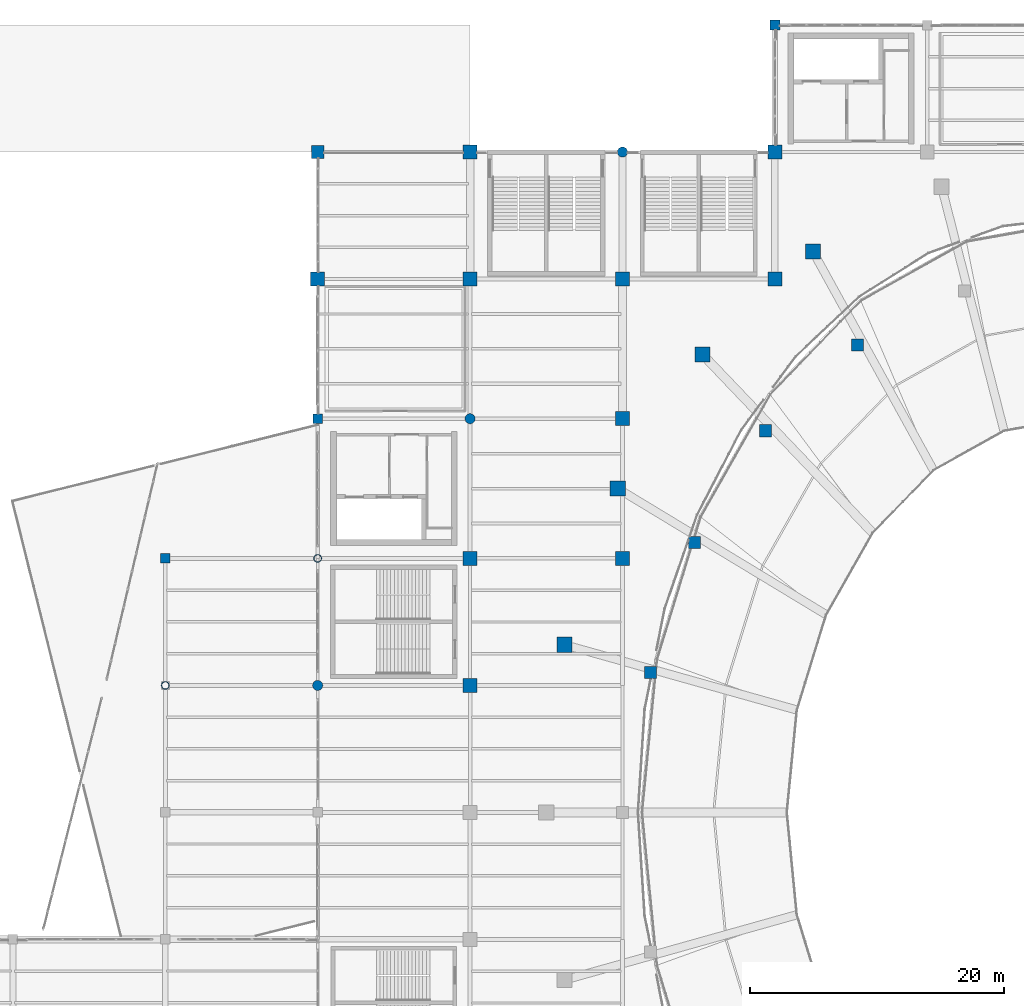
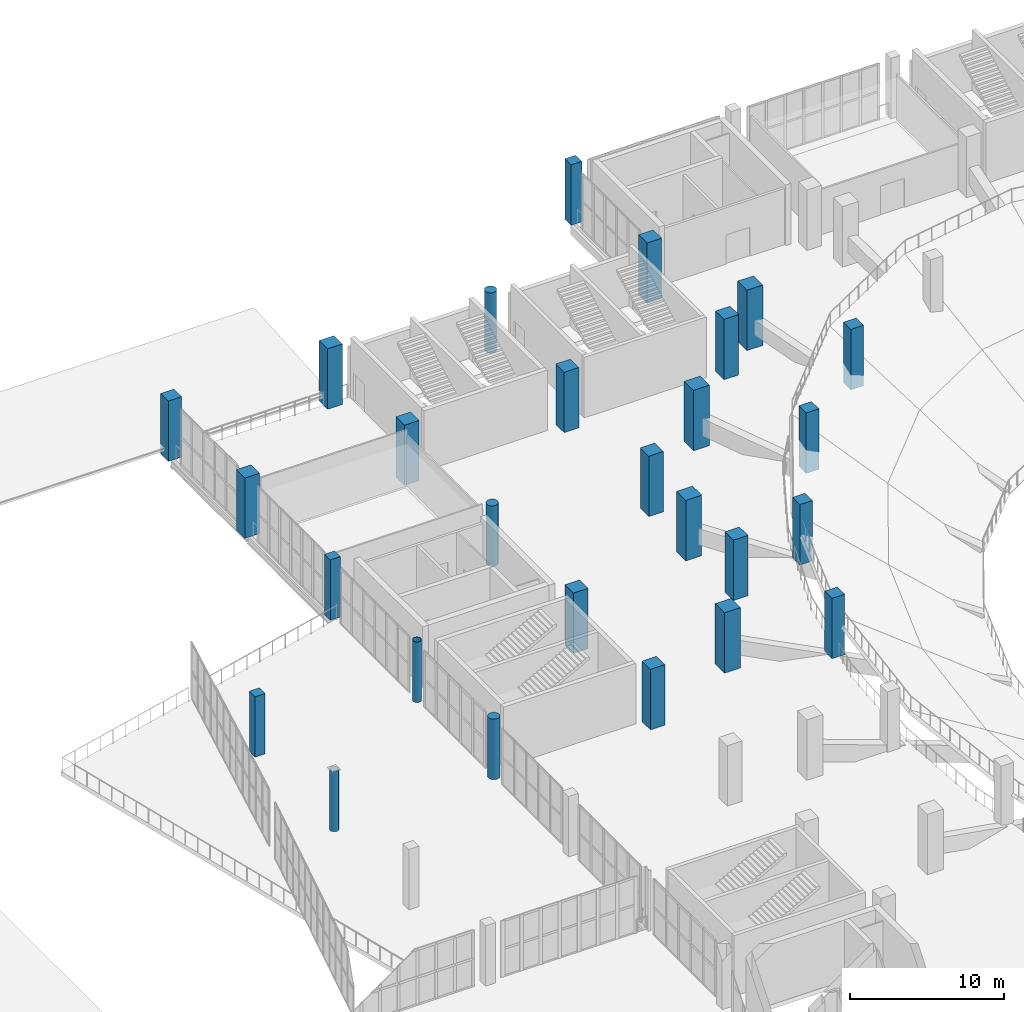
# One storey, part 6 of 136: 27 columns.
"""IFC4 building model written with IfcOpenShell, lengths in metres."""

from ifc_helpers import new_model, si_unit, direction, frame, origin, origin_2d, place, context, subcontext, project, spatial, rectangle, circle, hollow_circle, extrude, material, material_profile, profile_set, type_object, element, save


model = new_model("IFC4")

# Units and contexts
model_context = context("Model", 3, precision=1e-05, world=origin(), true_north=direction((0.0, 1.0)))
body_context = subcontext(model_context, "Body", "Model", "MODEL_VIEW")
ifc_project = project(units=[si_unit("LENGTHUNIT", "METRE"), si_unit("AREAUNIT", "SQUARE_METRE"), si_unit("VOLUMEUNIT", "CUBIC_METRE"), si_unit("PLANEANGLEUNIT", "RADIAN"), si_unit("MASSUNIT", "GRAM", prefix="KILO")], contexts=[model_context])

# Site, building, storey
site_placement = place(None, origin())
site = spatial("IfcSite", under=ifc_project, at=site_placement, CompositionType="ELEMENT")
building_placement = place(site_placement, origin())
building = spatial("IfcBuilding", under=site, at=building_placement, Name="Brinegate Civic Arena", CompositionType="ELEMENT")
storey_placement = place(building_placement, frame((0.0, 0.0, 5.39990234375)))
storey = spatial("IfcBuildingStorey", under=building, at=storey_placement, Name="L01", CompositionType="ELEMENT", Elevation=5.39990234375)

# Columns
ifc_material_1 = material(Name="Concrete C50/60", Category="concrete")
ifc_material_profile_1 = material_profile(ifc_material_1, rectangle(XDim=1.199951171875, YDim=1.199951171875, at=origin_2d()), Name="RC1200X1200")
ifc_profile_set_1 = profile_set([ifc_material_profile_1], Name="Concrete C50/60")
column_type_1 = type_object("IfcColumnType", Name="COL-CC01-1200", PredefinedType="COLUMN", material=ifc_profile_set_1)
for number, where, z_axis, x_axis, name in (
    (1, (87.0, 106.1669921875, 0.0), (0.0, 0.0, 1.0), (1.0, 0.0, 0.0), "Bowl Raker Column OUT-09-L01"),
    (2, (78.302001953125, 98.06201171875, 0.0), (0.0, 0.0, 1.0), (1.0, 0.0, 0.0), "Bowl Raker Column OUT-10-L01"),
    (3, (71.626953125, 87.5, 0.0), (0.0, 0.0, 1.0), (1.0, 0.0, 0.0), "Bowl Raker Column OUT-11-L01"),
    (4, (67.430908203125, 75.199951171875, 0.0), (0.0, 0.0, 1.0), (1.0, 0.0, 0.0), "Bowl Raker Column OUT-12-L01"),
):
    element("IfcColumn", number, at=place(storey_placement, frame(where, z_axis=z_axis, x_axis=x_axis)), inside=storey, type_object=column_type_1, Name=name, PredefinedType="COLUMN", context=body_context, shape_type="SweptSolid", body=[
        extrude(rectangle(XDim=1.199951171875, YDim=1.199951171875, at=origin_2d()), origin(), (0.0, 0.0, 1.0), 4.800048828125),
    ])
ifc_material_profile_2 = material_profile(ifc_material_1, rectangle(XDim=1.10009765625, YDim=1.10009765625, at=origin_2d()), Name="RC1100X1100")
ifc_profile_set_2 = profile_set([ifc_material_profile_2], Name="Concrete C50/60")
column_type_2 = type_object("IfcColumnType", Name="COL-CC02-1100", PredefinedType="COLUMN", material=ifc_profile_set_2)
for number, where, z_axis, x_axis, name in (
    (5, (48.0, 104.0, 0.0), (0.0, 0.0, 1.0), (1.0, 0.0, 0.0), "Column COL-L01-5-L"),
    (6, (60.0, 72.0, 0.0), (0.0, 0.0, 1.0), (1.0, 0.0, 0.0), "Column COL-L01-6-H"),
    (7, (60.0, 82.0, 0.0), (0.0, 0.0, 1.0), (1.0, 0.0, 0.0), "Column COL-L01-6-J"),
    (8, (60.0, 104.0, 0.0), (0.0, 0.0, 1.0), (1.0, 0.0, 0.0), "Column COL-L01-6-L"),
    (9, (60.0, 114.0, 0.0), (0.0, 0.0, 1.0), (1.0, 0.0, 0.0), "Column COL-L01-6-M"),
    (10, (72.0, 82.0, 0.0), (0.0, 0.0, 1.0), (1.0, 0.0, 0.0), "Column COL-L01-7-J"),
    (11, (72.0, 93.0, 0.0), (0.0, 0.0, 1.0), (1.0, 0.0, 0.0), "Column COL-L01-7-K"),
    (12, (72.0, 104.0, 0.0), (0.0, 0.0, 1.0), (1.0, 0.0, 0.0), "Column COL-L01-7-L"),
    (13, (84.0, 104.0, 0.0), (0.0, 0.0, 1.0), (1.0, 0.0, 0.0), "Column COL-L01-8-L"),
    (14, (84.0, 114.0, 0.0), (0.0, 0.0, 1.0), (1.0, 0.0, 0.0), "Column COL-L01-8-M"),
):
    element("IfcColumn", number, at=place(storey_placement, frame(where, z_axis=z_axis, x_axis=x_axis)), inside=storey, type_object=column_type_2, Name=name, PredefinedType="COLUMN", context=body_context, shape_type="SweptSolid", body=[
        extrude(rectangle(XDim=1.10009765625, YDim=1.10009765625, at=origin_2d()), origin(), (0.0, 0.0, 1.0), 4.800048828125),
    ])
ifc_material_profile_3 = material_profile(ifc_material_1, rectangle(XDim=1.0, YDim=1.0, at=origin_2d()), Name="RC1000X1000")
ifc_profile_set_3 = profile_set([ifc_material_profile_3], Name="Concrete C50/60")
column_type_3 = type_object("IfcColumnType", Name="COL-CC03-1000", PredefinedType="COLUMN", material=ifc_profile_set_3)
column_1_placement = place(storey_placement, frame((48.0, 114.0, 0.0), z_axis=(0.0, 0.0, 1.0), x_axis=(1.0, 0.0, 0.0)))
element("IfcColumn", 15, at=column_1_placement, inside=storey, type_object=column_type_3, Name="Column COL-L01-5-M", PredefinedType="COLUMN", context=body_context, shape_type="SweptSolid", body=[
    extrude(rectangle(XDim=1.0, YDim=1.0, at=origin_2d()), origin(), (0.0, 0.0, 1.0), 4.800048828125),
])
ifc_material_profile_4 = material_profile(ifc_material_1, rectangle(XDim=0.949951171875, YDim=0.949951171875, at=origin_2d()), Name="RC950X950")
ifc_profile_set_4 = profile_set([ifc_material_profile_4], Name="Concrete C50/60")
column_type_4 = type_object("IfcColumnType", Name="COL-CC04-950", PredefinedType="COLUMN", material=ifc_profile_set_4)
for number, where, z_axis, x_axis, name in (
    (16, (90.5, 98.805908203125, 0.0), (0.0, 0.0, 1.0), (1.0, 0.0, 0.0), "Upper Raker Inner Column UIN-09-L01"),
    (17, (83.2509765625, 92.052001953125, 0.0), (0.0, 0.0, 1.0), (1.0, 0.0, 0.0), "Upper Raker Inner Column UIN-10-L01"),
    (18, (77.68896484375, 83.25, 0.0), (0.0, 0.0, 1.0), (1.0, 0.0, 0.0), "Upper Raker Inner Column UIN-11-L01"),
    (19, (74.193115234375, 73.0, 0.0), (0.0, 0.0, 1.0), (1.0, 0.0, 0.0), "Upper Raker Inner Column UIN-12-L01"),
):
    element("IfcColumn", number, at=place(storey_placement, frame(where, z_axis=z_axis, x_axis=x_axis)), inside=storey, type_object=column_type_4, Name=name, PredefinedType="COLUMN", context=body_context, shape_type="SweptSolid", body=[
        extrude(rectangle(XDim=0.949951171875, YDim=0.949951171875, at=origin_2d()), origin(), (0.0, 0.0, 1.0), 4.800048828125),
    ])
ifc_material_profile_5 = material_profile(ifc_material_1, rectangle(XDim=0.800048828125, YDim=0.800048828125, at=origin_2d()), Name="RC800X800")
ifc_profile_set_5 = profile_set([ifc_material_profile_5], Name="Concrete C50/60")
column_type_5 = type_object("IfcColumnType", Name="COL-CC07-800", PredefinedType="COLUMN", material=ifc_profile_set_5)
column_2_placement = place(storey_placement, frame((84.0, 124.0, 0.0), z_axis=(0.0, 0.0, 1.0), x_axis=(1.0, 0.0, 0.0)))
element("IfcColumn", 20, at=column_2_placement, inside=storey, type_object=column_type_5, Name="Column COL-L01-8-N", PredefinedType="COLUMN", context=body_context, shape_type="SweptSolid", body=[
    extrude(rectangle(XDim=0.800048828125, YDim=0.800048828125, at=origin_2d()), origin(), (0.0, 0.0, 1.0), 4.800048828125),
])
ifc_material_profile_6 = material_profile(ifc_material_1, rectangle(XDim=0.75, YDim=0.75, at=origin_2d()), Name="RC750X750")
ifc_profile_set_6 = profile_set([ifc_material_profile_6], Name="Concrete C50/60")
column_type_6 = type_object("IfcColumnType", Name="COL-CC08-750", PredefinedType="COLUMN", material=ifc_profile_set_6)
for number, where, z_axis, x_axis, name in (
    (21, (36.0, 82.0, 0.0), (0.0, 0.0, 1.0), (1.0, 0.0, 0.0), "Column COL-L01-4-J"),
    (22, (48.0, 93.0, 0.0), (0.0, 0.0, 1.0), (1.0, 0.0, 0.0), "Column COL-L01-5-K"),
):
    element("IfcColumn", number, at=place(storey_placement, frame(where, z_axis=z_axis, x_axis=x_axis)), inside=storey, type_object=column_type_6, Name=name, PredefinedType="COLUMN", context=body_context, shape_type="SweptSolid", body=[
        extrude(rectangle(XDim=0.75, YDim=0.75, at=origin_2d()), origin(), (0.0, 0.0, 1.0), 4.800048828125),
    ])
ifc_material_profile_7 = material_profile(ifc_material_1, circle(Radius=0.39990234375, at=origin_2d()), Name="RCD800")
ifc_profile_set_7 = profile_set([ifc_material_profile_7], Name="Concrete C50/60")
column_type_7 = type_object("IfcColumnType", Name="COL-CC13-D800", PredefinedType="COLUMN", material=ifc_profile_set_7)
for number, where, z_axis, x_axis, name in (
    (23, (48.0, 72.0, 0.0), (0.0, 0.0, 1.0), (1.0, 0.0, 0.0), "Column COL-L01-5-H"),
    (24, (60.0, 93.0, 0.0), (0.0, 0.0, 1.0), (1.0, 0.0, 0.0), "Column COL-L01-6-K"),
    (25, (72.0, 114.0, 0.0), (0.0, 0.0, 1.0), (1.0, 0.0, 0.0), "Column COL-L01-7-M"),
):
    element("IfcColumn", number, at=place(storey_placement, frame(where, z_axis=z_axis, x_axis=x_axis)), inside=storey, type_object=column_type_7, Name=name, PredefinedType="COLUMN", context=body_context, shape_type="SweptSolid", body=[
        extrude(circle(Radius=0.39990234375, at=origin_2d()), origin(), (0.0, 0.0, 1.0), 4.800048828125),
    ])
ifc_material_2 = material(Name="Steel S355", Category="steel")
ifc_material_profile_8 = material_profile(ifc_material_2, hollow_circle(Radius=0.304931640625, WallThickness=0.02490234375, at=origin_2d()), Name="CHS610X25")
ifc_profile_set_8 = profile_set([ifc_material_profile_8], Name="Steel S355")
column_type_8 = type_object("IfcColumnType", Name="COL-SC05-CHS610", PredefinedType="COLUMN", material=ifc_profile_set_8)
for number, where, z_axis, x_axis, name in (
    (26, (36.0, 72.0, 0.0), (0.0, 0.0, 1.0), (1.0, 0.0, 0.0), "Column COL-L01-4-H"),
    (27, (48.0, 82.0, 0.0), (0.0, 0.0, 1.0), (1.0, 0.0, 0.0), "Column COL-L01-5-J"),
):
    element("IfcColumn", number, at=place(storey_placement, frame(where, z_axis=z_axis, x_axis=x_axis)), inside=storey, type_object=column_type_8, Name=name, PredefinedType="COLUMN", context=body_context, shape_type="SweptSolid", body=[
        extrude(hollow_circle(Radius=0.304931640625, WallThickness=0.02490234375, at=origin_2d()), origin(), (0.0, 0.0, 1.0), 4.800048828125),
    ])

save(model, "model.ifc")
